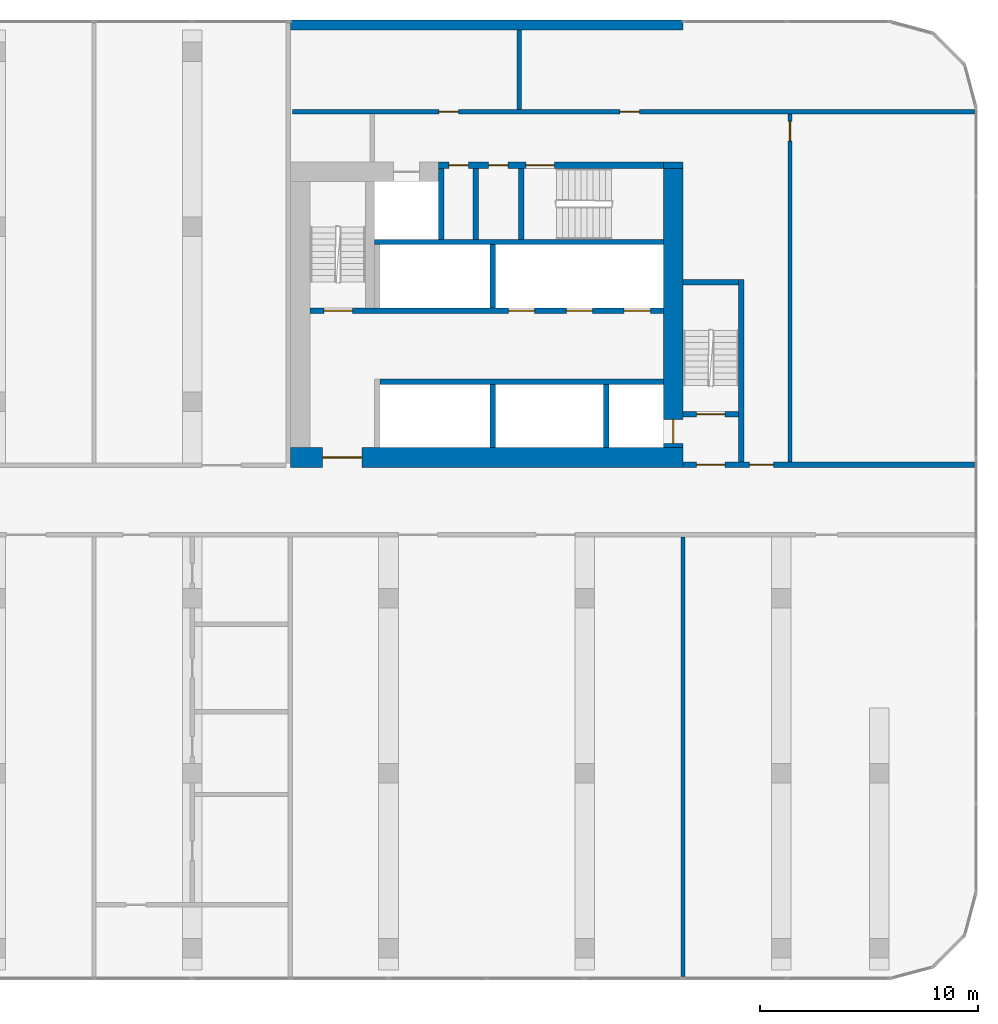
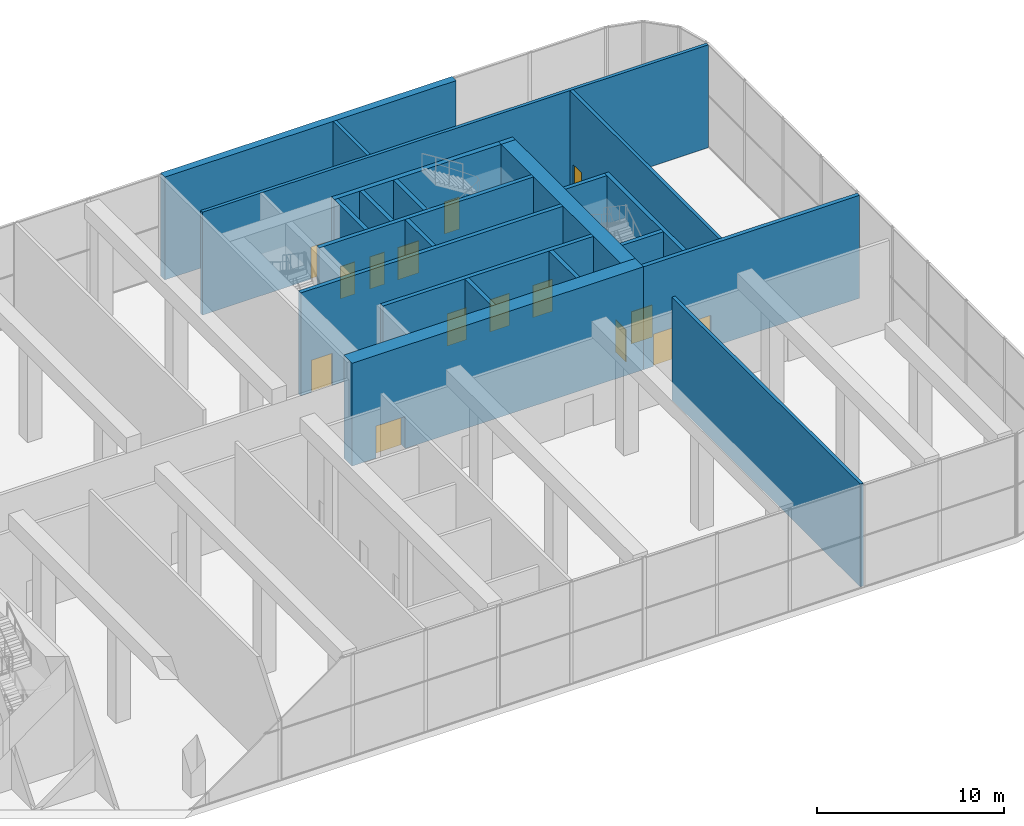
# One storey, part 15 of 23: 22 walls, 15 doors, 15 openings.
"""IFC4 building model written with IfcOpenShell, lengths in metres."""

from ifc_helpers import new_model, si_unit, direction, frame, frame_2d, origin, place, context, subcontext, project, spatial, rectangle, extrude, material, layer, layer_set, type_object, element, fill, save


model = new_model("IFC4")

# Units and contexts
model_context = context("Model", 3, precision=1e-05, world=origin(), true_north=direction((0.0, 1.0)))
body_context = subcontext(model_context, "Body", "Model", "MODEL_VIEW")
ifc_project = project(units=[si_unit("LENGTHUNIT", "METRE"), si_unit("AREAUNIT", "SQUARE_METRE"), si_unit("VOLUMEUNIT", "CUBIC_METRE"), si_unit("PLANEANGLEUNIT", "RADIAN"), si_unit("MASSUNIT", "GRAM", prefix="KILO")], contexts=[model_context])

# Site, building, storey
site_placement = place(None, origin())
site = spatial("IfcSite", under=ifc_project, at=site_placement, CompositionType="ELEMENT")
building_placement = place(site_placement, origin())
building = spatial("IfcBuilding", under=site, at=building_placement, Name="Kajstack Hotel Tower", CompositionType="ELEMENT")
storey_placement = place(building_placement, frame((0.0, 0.0, 53.0)))
storey = spatial("IfcBuildingStorey", under=building, at=storey_placement, Name="L08", CompositionType="ELEMENT", Elevation=53.0)

# Wall, opening, door
ifc_material_1 = material(Name="Concrete C60/75", Category="concrete")
ifc_layer_1 = layer(ifc_material_1, 0.89990234375)
ifc_layer_set_1 = layer_set([ifc_layer_1], Name="Core wall 900")
wall_type_1 = type_object("IfcWallType", Name="Core wall 900", PredefinedType="SHEAR", material=ifc_layer_set_1)
wall_1_placement = place(storey_placement, frame((13.5, 1.949951171875, 0.0), z_axis=(0.0, 0.0, 1.0), x_axis=(1.0, 0.0, 0.0)))
wall_1 = element("IfcWall", 1, at=wall_1_placement, inside=storey, type_object=wall_type_1, Name="Core wall E RN", PredefinedType="SHEAR", context=body_context, shape_type="SweptSolid", body=[
    extrude(rectangle(XDim=18.0, YDim=0.89990234375, at=frame_2d((9.0, 0.0))), origin(), (0.0, 0.0, 1.0), 6.719970703125),
])
opening_1_placement = place(wall_1_placement, frame((1.47509765625, 0.0, 0.0)))
opening_1 = element("IfcOpeningElement", 2, at=opening_1_placement, cuts=wall_1, Name="Opening 08E06", PredefinedType="OPENING", context=body_context, shape_type="SweptSolid", body=[
    extrude(rectangle(XDim=1.800048828125, YDim=2.10009765625, at=frame_2d((0.89990234375, 1.050048828125))), frame((0.0, 0.4599609375, 0.0), z_axis=(0.0, -1.0, 0.0), x_axis=(1.0, 0.0, 0.0)), (0.0, 0.0, 1.0), 0.919921875),
])
ifc_material_2 = material(Name="Glazed steel frame, fire-rated glass", Category="steel")
door_type_1 = type_object("IfcDoorType", Name="Lobby double door 1800", OperationType="DOUBLE_DOOR_DOUBLE_SWING", PredefinedType="DOOR", material=ifc_material_2)
door_1_placement = place(opening_1_placement, origin())
door_1 = element("IfcDoor", 3, at=door_1_placement, inside=storey, type_object=door_type_1, Name="Door 08E06", OperationType="DOUBLE_DOOR_DOUBLE_SWING", OverallHeight=2.10009765625, OverallWidth=1.800048828125, PredefinedType="DOOR", context=body_context, shape_type="SweptSolid", body=[
    extrude(rectangle(XDim=1.800048828125, YDim=2.10009765625, at=frame_2d((0.89990234375, 1.050048828125))), frame((0.0, 0.02490234375, 0.0), z_axis=(0.0, -1.0, 0.0), x_axis=(1.0, 0.0, 0.0)), (0.0, 0.0, 1.0), 0.050048828125),
])
fill(opening_1, door_1)

# Wall
wall_2_placement = place(storey_placement, frame((30.60009765625, 15.35009765625, 0.0), z_axis=(0.0, 0.0, 1.0), x_axis=(1.0, 0.0, 0.0)))
element("IfcWall", 4, at=wall_2_placement, inside=storey, type_object=wall_type_1, Name="Core wall E RSW", PredefinedType="SHEAR", context=body_context, shape_type="SweptSolid", body=[
    extrude(rectangle(XDim=0.89990234375, YDim=0.300048828125, at=frame_2d((0.449951171875, 0.0))), origin(), (0.0, 0.0, 1.0), 6.719970703125),
])

# Wall, opening, door
wall_3_placement = place(storey_placement, frame((31.050048828125, 2.39990234375, 0.0), z_axis=(0.0, 0.0, 1.0), x_axis=(0.0, 1.0, 0.0)))
wall_3 = element("IfcWall", 5, at=wall_3_placement, inside=storey, type_object=wall_type_1, Name="Core wall E RW", PredefinedType="SHEAR", context=body_context, shape_type="SweptSolid", body=[
    extrude(rectangle(XDim=12.800048828125, YDim=0.89990234375, at=frame_2d((6.39990234375, 0.0))), origin(), (0.0, 0.0, 1.0), 6.719970703125),
])
opening_2_placement = place(wall_3_placement, frame((0.199951171875, 0.0, 0.0)))
opening_2 = element("IfcOpeningElement", 6, at=opening_2_placement, cuts=wall_3, Name="Opening LD-FF2", PredefinedType="OPENING", context=body_context, shape_type="SweptSolid", body=[
    extrude(rectangle(XDim=1.10009765625, YDim=2.10009765625, at=frame_2d((0.550048828125, 1.050048828125))), frame((0.0, 0.4599609375, 0.0), z_axis=(0.0, -1.0, 0.0), x_axis=(1.0, 0.0, 0.0)), (0.0, 0.0, 1.0), 0.919921875),
])
ifc_material_3 = material(Name="Stainless steel", Category="steel")
door_type_2 = type_object("IfcDoorType", Name="Fire-fighting lift landing door 1100", OperationType="SLIDING_TO_LEFT", PredefinedType="DOOR", material=ifc_material_3)
door_2_placement = place(opening_2_placement, origin())
door_2 = element("IfcDoor", 7, at=door_2_placement, inside=storey, type_object=door_type_2, Name="Landing door FF2", OperationType="SLIDING_TO_LEFT", OverallHeight=2.10009765625, OverallWidth=1.10009765625, PredefinedType="DOOR", context=body_context, shape_type="SweptSolid", body=[
    extrude(rectangle(XDim=1.10009765625, YDim=2.10009765625, at=frame_2d((0.550048828125, 1.050048828125))), frame((0.0, 0.02490234375, 0.0), z_axis=(0.0, -1.0, 0.0), x_axis=(1.0, 0.0, 0.0)), (0.0, 0.0, 1.0), 0.050048828125),
])
fill(opening_2, door_2)

# Walls
ifc_material_4 = material(Name="Concrete C40/50", Category="concrete")
ifc_layer_2 = layer(ifc_material_4, 0.449951171875)
ifc_layer_set_2 = layer_set([ifc_layer_2], Name="EW-CORE")
wall_type_2 = type_object("IfcWallType", Name="EW-CORE", PredefinedType="SOLIDWALL", material=ifc_layer_set_2)
wall_4_placement = place(storey_placement, frame((31.5, 21.77490234375, 0.0), z_axis=(0.0, 0.0, 1.0), x_axis=(-1.0, 0.0, 0.0)))
element("IfcWall", 8, at=wall_4_placement, inside=storey, type_object=wall_type_2, Name="E-wall-L08-11-01", PredefinedType="SOLIDWALL", context=body_context, shape_type="SweptSolid", body=[
    extrude(rectangle(XDim=18.0, YDim=0.449951171875, at=frame_2d((9.0, 0.0))), origin(), (0.0, 0.0, 1.0), 6.719970703125),
])
ifc_material_5 = material(Name="Concrete C50/60", Category="concrete")
ifc_layer_3 = layer(ifc_material_5, 0.300048828125)
ifc_layer_set_3 = layer_set([ifc_layer_3], Name="Hoistway divider wall 300")
wall_type_3 = type_object("IfcWallType", Name="Hoistway divider wall 300", PredefinedType="SHEAR", material=ifc_layer_set_3)
wall_5_placement = place(storey_placement, frame((22.77490234375, 2.39990234375, 0.0), z_axis=(0.0, 0.0, 1.0), x_axis=(0.0, 1.0, 0.0)))
element("IfcWall", 9, at=wall_5_placement, inside=storey, type_object=wall_type_3, Name="Core wall E AP2", PredefinedType="SHEAR", context=body_context, shape_type="SweptSolid", body=[
    extrude(rectangle(XDim=2.900146484375, YDim=0.25, at=frame_2d((1.4501953125, 0.0))), origin(), (0.0, 0.0, 1.0), 6.719970703125),
])
wall_6_placement = place(storey_placement, frame((22.77490234375, 8.800048828125, 0.0), z_axis=(0.0, 0.0, 1.0), x_axis=(0.0, 1.0, 0.0)))
element("IfcWall", 10, at=wall_6_placement, inside=storey, type_object=wall_type_3, Name="Core wall E BP2", PredefinedType="SHEAR", context=body_context, shape_type="SweptSolid", body=[
    extrude(rectangle(XDim=2.89990234375, YDim=0.25, at=frame_2d((1.449951171875, 0.0))), origin(), (0.0, 0.0, 1.0), 6.719970703125),
])
ifc_material_6 = material(Name="Gypsum board on steel studs, mineral wool", Category="steel")
ifc_layer_4 = layer(ifc_material_6, 0.199951171875)
ifc_layer_set_4 = layer_set([ifc_layer_4], Name="Public partition 200")
wall_type_4 = type_object("IfcWallType", Name="Public partition 200", PredefinedType="PARTITIONING", material=ifc_layer_set_4)
wall_7_placement = place(storey_placement, frame((31.5, -21.85009765625, 0.0), z_axis=(0.0, 0.0, 1.0), x_axis=(0.0, 1.0, 0.0)))
element("IfcWall", 11, at=wall_7_placement, inside=storey, type_object=wall_type_4, Name="Partition SPX3", PredefinedType="PARTITIONING", context=body_context, shape_type="SweptSolid", body=[
    extrude(rectangle(XDim=20.150146484375, YDim=0.199951171875, at=frame_2d((10.0751953125, 0.0))), origin(), (0.0, 0.0, 1.0), 6.719970703125),
])
ifc_material_7 = material(Name="Concrete block masonry", Category="masonry")
ifc_layer_5 = layer(ifc_material_7, 0.25)
ifc_layer_set_5 = layer_set([ifc_layer_5], Name="Riser partition 250")
wall_type_5 = type_object("IfcWallType", Name="Riser partition 250", PredefinedType="PARTITIONING", material=ifc_layer_set_5)
wall_8_placement = place(storey_placement, frame((22.0, 11.949951171875, 0.0), z_axis=(0.0, 0.0, 1.0), x_axis=(0.0, 1.0, 0.0)))
element("IfcWall", 12, at=wall_8_placement, inside=storey, type_object=wall_type_5, Name="Partition E SZ0", PredefinedType="PARTITIONING", context=body_context, shape_type="SweptSolid", body=[
    extrude(rectangle(XDim=3.25, YDim=0.25, at=frame_2d((1.625, 0.0))), origin(), (0.0, 0.0, 1.0), 6.719970703125),
])

# Wall, openings, doors
ifc_layer_6 = layer(ifc_material_6, 0.199951171875)
ifc_layer_set_6 = layer_set([ifc_layer_6], Name="Service partition 200")
wall_type_6 = type_object("IfcWallType", Name="Service partition 200", PredefinedType="PARTITIONING", material=ifc_layer_set_6)
wall_9_placement = place(storey_placement, frame((31.5, 1.625, 0.0), z_axis=(0.0, 0.0, 1.0), x_axis=(1.0, 0.0, 0.0)))
wall_9 = element("IfcWall", 13, at=wall_9_placement, inside=storey, type_object=wall_type_6, Name="Partition E SN", PredefinedType="PARTITIONING", context=body_context, shape_type="SweptSolid", body=[
    extrude(rectangle(XDim=13.35009765625, YDim=0.25, at=frame_2d((6.675048828125, 0.0))), origin(), (0.0, 0.0, 1.0), 6.719970703125),
])
opening_3_placement = place(wall_9_placement, frame((0.625, 0.0, 0.0)))
opening_3 = element("IfcOpeningElement", 14, at=opening_3_placement, cuts=wall_9, Name="Opening 08E07", PredefinedType="OPENING", context=body_context, shape_type="SweptSolid", body=[
    extrude(rectangle(XDim=1.300048828125, YDim=2.10009765625, at=frame_2d((0.64990234375, 1.050048828125))), frame((0.0, 0.135009765625, 0.0), z_axis=(0.0, -1.0, 0.0), x_axis=(1.0, 0.0, 0.0)), (0.0, 0.0, 1.0), 0.27001953125),
])
opening_4_placement = place(wall_9_placement, frame((3.050048828125, 0.0, 0.0)))
opening_4 = element("IfcOpeningElement", 15, at=opening_4_placement, cuts=wall_9, Name="Opening 08E09", PredefinedType="OPENING", context=body_context, shape_type="SweptSolid", body=[
    extrude(rectangle(XDim=1.10009765625, YDim=2.10009765625, at=frame_2d((0.550048828125, 1.050048828125))), frame((0.0, 0.135009765625, 0.0), z_axis=(0.0, -1.0, 0.0), x_axis=(1.0, 0.0, 0.0)), (0.0, 0.0, 1.0), 0.27001953125),
])
ifc_material_8 = material(Name="Steel leaf, fire-rated", Category="steel")
door_type_3 = type_object("IfcDoorType", Name="Fire lobby door 1300", OperationType="SINGLE_SWING_LEFT", PredefinedType="DOOR", material=ifc_material_8)
door_3_placement = place(opening_3_placement, origin())
door_3 = element("IfcDoor", 16, at=door_3_placement, inside=storey, type_object=door_type_3, Name="Door 08E07", OperationType="SINGLE_SWING_LEFT", OverallHeight=2.10009765625, OverallWidth=1.300048828125, PredefinedType="DOOR", context=body_context, shape_type="SweptSolid", body=[
    extrude(rectangle(XDim=1.300048828125, YDim=2.10009765625, at=frame_2d((0.64990234375, 1.050048828125))), frame((0.0, 0.02490234375, 0.0), z_axis=(0.0, -1.0, 0.0), x_axis=(1.0, 0.0, 0.0)), (0.0, 0.0, 1.0), 0.050048828125),
])
fill(opening_3, door_3)
ifc_material_9 = material(Name="Timber leaf, fire-rated", Category="wood")
door_type_4 = type_object("IfcDoorType", Name="Service corridor door 1100", OperationType="SINGLE_SWING_LEFT", PredefinedType="DOOR", material=ifc_material_9)
door_4_placement = place(opening_4_placement, origin())
door_4 = element("IfcDoor", 17, at=door_4_placement, inside=storey, type_object=door_type_4, Name="Door 08E09", OperationType="SINGLE_SWING_LEFT", OverallHeight=2.10009765625, OverallWidth=1.10009765625, PredefinedType="DOOR", context=body_context, shape_type="SweptSolid", body=[
    extrude(rectangle(XDim=1.10009765625, YDim=2.10009765625, at=frame_2d((0.550048828125, 1.050048828125))), frame((0.0, 0.02490234375, 0.0), z_axis=(0.0, -1.0, 0.0), x_axis=(1.0, 0.0, 0.0)), (0.0, 0.0, 1.0), 0.050048828125),
])
fill(opening_4, door_4)

# Wall, opening, door
wall_10_placement = place(storey_placement, frame((36.39990234375, 1.75, 0.0), z_axis=(0.0, 0.0, 1.0), x_axis=(0.0, 1.0, 0.0)))
wall_10 = element("IfcWall", 18, at=wall_10_placement, inside=storey, type_object=wall_type_6, Name="Partition E WRE", PredefinedType="PARTITIONING", context=body_context, shape_type="SweptSolid", body=[
    extrude(rectangle(XDim=15.949951171875, YDim=0.199951171875, at=frame_2d((7.97509765625, 0.0))), origin(), (0.0, 0.0, 1.0), 6.719970703125),
])
opening_5_placement = place(wall_10_placement, frame((14.699951171875, 0.0, 0.0)))
opening_5 = element("IfcOpeningElement", 19, at=opening_5_placement, cuts=wall_10, Name="Opening 08E16", PredefinedType="OPENING", context=body_context, shape_type="SweptSolid", body=[
    extrude(rectangle(XDim=0.89990234375, YDim=2.10009765625, at=frame_2d((0.449951171875, 1.050048828125))), frame((0.0, 0.10986328125, 0.0), z_axis=(0.0, -1.0, 0.0), x_axis=(1.0, 0.0, 0.0)), (0.0, 0.0, 1.0), 0.219970703125),
])
door_type_5 = type_object("IfcDoorType", Name="Service door 900", OperationType="SINGLE_SWING_LEFT", PredefinedType="DOOR", material=ifc_material_9)
door_5_placement = place(opening_5_placement, origin())
door_5 = element("IfcDoor", 20, at=door_5_placement, inside=storey, type_object=door_type_5, Name="Door 08E16", OperationType="SINGLE_SWING_RIGHT", OverallHeight=2.10009765625, OverallWidth=0.89990234375, PredefinedType="DOOR", context=body_context, shape_type="SweptSolid", body=[
    extrude(rectangle(XDim=0.89990234375, YDim=2.10009765625, at=frame_2d((0.449951171875, 1.050048828125))), frame((0.0, 0.02490234375, 0.0), z_axis=(0.0, -1.0, 0.0), x_axis=(1.0, 0.0, 0.0)), (0.0, 0.0, 1.0), 0.050048828125),
])
fill(opening_5, door_5)

# Wall, openings, doors
wall_11_placement = place(storey_placement, frame((13.60009765625, 17.800048828125, 0.0), z_axis=(0.0, 0.0, 1.0), x_axis=(1.0, 0.0, 0.0)))
wall_11 = element("IfcWall", 21, at=wall_11_placement, inside=storey, type_object=wall_type_6, Name="Partition E SLN", PredefinedType="PARTITIONING", context=body_context, shape_type="SweptSolid", body=[
    extrude(rectangle(XDim=31.25, YDim=0.199951171875, at=frame_2d((15.625, 0.0))), origin(), (0.0, 0.0, 1.0), 6.719970703125),
])
opening_6_placement = place(wall_11_placement, frame((15.012451171875, 0.0, 0.0)))
opening_6 = element("IfcOpeningElement", 22, at=opening_6_placement, cuts=wall_11, Name="Opening 08E14", PredefinedType="OPENING", context=body_context, shape_type="SweptSolid", body=[
    extrude(rectangle(XDim=0.89990234375, YDim=2.10009765625, at=frame_2d((0.449951171875, 1.050048828125))), frame((0.0, 0.10986328125, 0.0), z_axis=(0.0, -1.0, 0.0), x_axis=(1.0, 0.0, 0.0)), (0.0, 0.0, 1.0), 0.219970703125),
])
opening_7_placement = place(wall_11_placement, frame((6.71240234375, 0.0, 0.0)))
opening_7 = element("IfcOpeningElement", 23, at=opening_7_placement, cuts=wall_11, Name="Opening 08E15", PredefinedType="OPENING", context=body_context, shape_type="SweptSolid", body=[
    extrude(rectangle(XDim=0.89990234375, YDim=2.10009765625, at=frame_2d((0.449951171875, 1.050048828125))), frame((0.0, 0.10986328125, 0.0), z_axis=(0.0, -1.0, 0.0), x_axis=(1.0, 0.0, 0.0)), (0.0, 0.0, 1.0), 0.219970703125),
])
door_6_placement = place(opening_6_placement, origin())
door_6 = element("IfcDoor", 24, at=door_6_placement, inside=storey, type_object=door_type_5, Name="Door 08E14", OperationType="SINGLE_SWING_LEFT", OverallHeight=2.10009765625, OverallWidth=0.89990234375, PredefinedType="DOOR", context=body_context, shape_type="SweptSolid", body=[
    extrude(rectangle(XDim=0.89990234375, YDim=2.10009765625, at=frame_2d((0.449951171875, 1.050048828125))), frame((0.0, 0.02490234375, 0.0), z_axis=(0.0, -1.0, 0.0), x_axis=(1.0, 0.0, 0.0)), (0.0, 0.0, 1.0), 0.050048828125),
])
fill(opening_6, door_6)
door_7_placement = place(opening_7_placement, origin())
door_7 = element("IfcDoor", 25, at=door_7_placement, inside=storey, type_object=door_type_5, Name="Door 08E15", OperationType="SINGLE_SWING_LEFT", OverallHeight=2.10009765625, OverallWidth=0.89990234375, PredefinedType="DOOR", context=body_context, shape_type="SweptSolid", body=[
    extrude(rectangle(XDim=0.89990234375, YDim=2.10009765625, at=frame_2d((0.449951171875, 1.050048828125))), frame((0.0, 0.02490234375, 0.0), z_axis=(0.0, -1.0, 0.0), x_axis=(1.0, 0.0, 0.0)), (0.0, 0.0, 1.0), 0.050048828125),
])
fill(opening_7, door_7)

# Wall
wall_12_placement = place(storey_placement, frame((24.0, 17.89990234375, 0.0), z_axis=(0.0, 0.0, 1.0), x_axis=(0.0, 1.0, 0.0)))
element("IfcWall", 26, at=wall_12_placement, inside=storey, type_object=wall_type_6, Name="Partition E SLP0", PredefinedType="PARTITIONING", context=body_context, shape_type="SweptSolid", body=[
    extrude(rectangle(XDim=3.650146484375, YDim=0.199951171875, at=frame_2d((1.8251953125, 0.0))), origin(), (0.0, 0.0, 1.0), 6.719970703125),
])

# Wall, openings, doors
ifc_layer_7 = layer(ifc_material_5, 0.25)
ifc_layer_set_7 = layer_set([ifc_layer_7], Name="Shaft wall 250")
wall_type_7 = type_object("IfcWallType", Name="Shaft wall 250", PredefinedType="SHEAR", material=ifc_layer_set_7)
wall_13_placement = place(storey_placement, frame((20.300048828125, 15.35009765625, 0.0), z_axis=(0.0, 0.0, 1.0), x_axis=(1.0, 0.0, 0.0)))
wall_13 = element("IfcWall", 27, at=wall_13_placement, inside=storey, type_object=wall_type_7, Name="Core wall E RSS", PredefinedType="SHEAR", context=body_context, shape_type="SweptSolid", body=[
    extrude(rectangle(XDim=10.300048828125, YDim=0.300048828125, at=frame_2d((5.14990234375, 0.0))), origin(), (0.0, 0.0, 1.0), 6.719970703125),
])
opening_8_placement = place(wall_13_placement, frame((4.0, 0.0, 0.0)))
opening_8 = element("IfcOpeningElement", 28, at=opening_8_placement, cuts=wall_13, Name="Opening 08E11", PredefinedType="OPENING", context=body_context, shape_type="SweptSolid", body=[
    extrude(rectangle(XDim=1.300048828125, YDim=2.10009765625, at=frame_2d((0.64990234375, 1.050048828125))), frame((0.0, 0.159912109375, 0.0), z_axis=(0.0, -1.0, 0.0), x_axis=(1.0, 0.0, 0.0)), (0.0, 0.0, 1.0), 0.320068359375),
])
opening_9_placement = place(wall_13_placement, frame((2.28759765625, 0.0, 0.0)))
opening_9 = element("IfcOpeningElement", 29, at=opening_9_placement, cuts=wall_13, Name="Opening 08E12", PredefinedType="OPENING", context=body_context, shape_type="SweptSolid", body=[
    extrude(rectangle(XDim=0.89990234375, YDim=2.10009765625, at=frame_2d((0.449951171875, 1.050048828125))), frame((0.0, 0.159912109375, 0.0), z_axis=(0.0, -1.0, 0.0), x_axis=(1.0, 0.0, 0.0)), (0.0, 0.0, 1.0), 0.320068359375),
])
opening_10_placement = place(wall_13_placement, frame((0.46240234375, 0.0, 0.0)))
opening_10 = element("IfcOpeningElement", 30, at=opening_10_placement, cuts=wall_13, Name="Opening 08E13", PredefinedType="OPENING", context=body_context, shape_type="SweptSolid", body=[
    extrude(rectangle(XDim=0.89990234375, YDim=2.10009765625, at=frame_2d((0.449951171875, 1.050048828125))), frame((0.0, 0.159912109375, 0.0), z_axis=(0.0, -1.0, 0.0), x_axis=(1.0, 0.0, 0.0)), (0.0, 0.0, 1.0), 0.320068359375),
])
door_8_placement = place(opening_9_placement, origin())
door_8 = element("IfcDoor", 31, at=door_8_placement, inside=storey, type_object=door_type_5, Name="Door 08E12", OperationType="SINGLE_SWING_RIGHT", OverallHeight=2.10009765625, OverallWidth=0.89990234375, PredefinedType="DOOR", context=body_context, shape_type="SweptSolid", body=[
    extrude(rectangle(XDim=0.89990234375, YDim=2.10009765625, at=frame_2d((0.449951171875, 1.050048828125))), frame((0.0, 0.02490234375, 0.0), z_axis=(0.0, -1.0, 0.0), x_axis=(1.0, 0.0, 0.0)), (0.0, 0.0, 1.0), 0.050048828125),
])
fill(opening_9, door_8)
door_9_placement = place(opening_10_placement, origin())
door_9 = element("IfcDoor", 32, at=door_9_placement, inside=storey, type_object=door_type_5, Name="Door 08E13", OperationType="SINGLE_SWING_RIGHT", OverallHeight=2.10009765625, OverallWidth=0.89990234375, PredefinedType="DOOR", context=body_context, shape_type="SweptSolid", body=[
    extrude(rectangle(XDim=0.89990234375, YDim=2.10009765625, at=frame_2d((0.449951171875, 1.050048828125))), frame((0.0, 0.02490234375, 0.0), z_axis=(0.0, -1.0, 0.0), x_axis=(1.0, 0.0, 0.0)), (0.0, 0.0, 1.0), 0.050048828125),
])
fill(opening_10, door_9)
door_type_6 = type_object("IfcDoorType", Name="Stair door 1300", OperationType="SINGLE_SWING_LEFT", PredefinedType="DOOR", material=ifc_material_8)
door_10_placement = place(opening_8_placement, origin())
door_10 = element("IfcDoor", 33, at=door_10_placement, inside=storey, type_object=door_type_6, Name="Door 08E11", OperationType="SINGLE_SWING_LEFT", OverallHeight=2.10009765625, OverallWidth=1.300048828125, PredefinedType="DOOR", context=body_context, shape_type="SweptSolid", body=[
    extrude(rectangle(XDim=1.300048828125, YDim=2.10009765625, at=frame_2d((0.64990234375, 1.050048828125))), frame((0.0, 0.02490234375, 0.0), z_axis=(0.0, -1.0, 0.0), x_axis=(1.0, 0.0, 0.0)), (0.0, 0.0, 1.0), 0.050048828125),
])
fill(opening_8, door_10)

# Walls
wall_14_placement = place(storey_placement, frame((17.60009765625, 5.425048828125, 0.0), z_axis=(0.0, 0.0, 1.0), x_axis=(1.0, 0.0, 0.0)))
element("IfcWall", 34, at=wall_14_placement, inside=storey, type_object=wall_type_7, Name="Core wall E FA", PredefinedType="SHEAR", context=body_context, shape_type="SweptSolid", body=[
    extrude(rectangle(XDim=13.0, YDim=0.25, at=frame_2d((6.5, 0.0))), origin(), (0.0, 0.0, 1.0), 6.719970703125),
])
wall_15_placement = place(storey_placement, frame((27.97509765625, 2.39990234375, 0.0), z_axis=(0.0, 0.0, 1.0), x_axis=(0.0, 1.0, 0.0)))
element("IfcWall", 35, at=wall_15_placement, inside=storey, type_object=wall_type_7, Name="Core wall E AP0", PredefinedType="SHEAR", context=body_context, shape_type="SweptSolid", body=[
    extrude(rectangle(XDim=2.900146484375, YDim=0.25, at=frame_2d((1.4501953125, 0.0))), origin(), (0.0, 0.0, 1.0), 6.719970703125),
])

# Wall, openings, doors
wall_16_placement = place(storey_placement, frame((14.39990234375, 8.675048828125, 0.0), z_axis=(0.0, 0.0, 1.0), x_axis=(1.0, 0.0, 0.0)))
wall_16 = element("IfcWall", 36, at=wall_16_placement, inside=storey, type_object=wall_type_7, Name="Core wall E FB", PredefinedType="SHEAR", context=body_context, shape_type="SweptSolid", body=[
    extrude(rectangle(XDim=16.2001953125, YDim=0.25, at=frame_2d((8.10009765625, 0.0))), origin(), (0.0, 0.0, 1.0), 6.719970703125),
])
opening_11_placement = place(wall_16_placement, frame((14.39990234375, 0.0, 0.0)))
opening_11 = element("IfcOpeningElement", 37, at=opening_11_placement, cuts=wall_16, Name="Opening LD-LR4", PredefinedType="OPENING", context=body_context, shape_type="SweptSolid", body=[
    extrude(rectangle(XDim=1.199951171875, YDim=2.10009765625, at=frame_2d((0.60009765625, 1.050048828125))), frame((0.0, 0.135009765625, 0.0), z_axis=(0.0, -1.0, 0.0), x_axis=(1.0, 0.0, 0.0)), (0.0, 0.0, 1.0), 0.27001953125),
])
opening_12_placement = place(wall_16_placement, frame((11.75, 0.0, 0.0)))
opening_12 = element("IfcOpeningElement", 38, at=opening_12_placement, cuts=wall_16, Name="Opening LD-LR5", PredefinedType="OPENING", context=body_context, shape_type="SweptSolid", body=[
    extrude(rectangle(XDim=1.199951171875, YDim=2.10009765625, at=frame_2d((0.60009765625, 1.050048828125))), frame((0.0, 0.135009765625, 0.0), z_axis=(0.0, -1.0, 0.0), x_axis=(1.0, 0.0, 0.0)), (0.0, 0.0, 1.0), 0.27001953125),
])
opening_13_placement = place(wall_16_placement, frame((9.10009765625, 0.0, 0.0)))
opening_13 = element("IfcOpeningElement", 39, at=opening_13_placement, cuts=wall_16, Name="Opening LD-LR6", PredefinedType="OPENING", context=body_context, shape_type="SweptSolid", body=[
    extrude(rectangle(XDim=1.199951171875, YDim=2.10009765625, at=frame_2d((0.60009765625, 1.050048828125))), frame((0.0, 0.135009765625, 0.0), z_axis=(0.0, -1.0, 0.0), x_axis=(1.0, 0.0, 0.0)), (0.0, 0.0, 1.0), 0.27001953125),
])
opening_14_placement = place(wall_16_placement, frame((0.64990234375, 0.0, 0.0)))
opening_14 = element("IfcOpeningElement", 40, at=opening_14_placement, cuts=wall_16, Name="Opening 08E10", PredefinedType="OPENING", context=body_context, shape_type="SweptSolid", body=[
    extrude(rectangle(XDim=1.300048828125, YDim=2.10009765625, at=frame_2d((0.64990234375, 1.050048828125))), frame((0.0, 0.135009765625, 0.0), z_axis=(0.0, -1.0, 0.0), x_axis=(1.0, 0.0, 0.0)), (0.0, 0.0, 1.0), 0.27001953125),
])
door_type_7 = type_object("IfcDoorType", Name="Lift landing door 1200", OperationType="SLIDING_TO_LEFT", PredefinedType="DOOR", material=ifc_material_3)
door_11_placement = place(opening_11_placement, origin())
door_11 = element("IfcDoor", 41, at=door_11_placement, inside=storey, type_object=door_type_7, Name="Landing door LR4", OperationType="SLIDING_TO_LEFT", OverallHeight=2.10009765625, OverallWidth=1.199951171875, PredefinedType="DOOR", context=body_context, shape_type="SweptSolid", body=[
    extrude(rectangle(XDim=1.199951171875, YDim=2.10009765625, at=frame_2d((0.60009765625, 1.050048828125))), frame((0.0, 0.02490234375, 0.0), z_axis=(0.0, -1.0, 0.0), x_axis=(1.0, 0.0, 0.0)), (0.0, 0.0, 1.0), 0.050048828125),
])
fill(opening_11, door_11)
door_12_placement = place(opening_12_placement, origin())
door_12 = element("IfcDoor", 42, at=door_12_placement, inside=storey, type_object=door_type_7, Name="Landing door LR5", OperationType="SLIDING_TO_RIGHT", OverallHeight=2.10009765625, OverallWidth=1.199951171875, PredefinedType="DOOR", context=body_context, shape_type="SweptSolid", body=[
    extrude(rectangle(XDim=1.199951171875, YDim=2.10009765625, at=frame_2d((0.60009765625, 1.050048828125))), frame((0.0, 0.02490234375, 0.0), z_axis=(0.0, -1.0, 0.0), x_axis=(1.0, 0.0, 0.0)), (0.0, 0.0, 1.0), 0.050048828125),
])
fill(opening_12, door_12)
door_13_placement = place(opening_13_placement, origin())
door_13 = element("IfcDoor", 43, at=door_13_placement, inside=storey, type_object=door_type_7, Name="Landing door LR6", OperationType="SLIDING_TO_RIGHT", OverallHeight=2.10009765625, OverallWidth=1.199951171875, PredefinedType="DOOR", context=body_context, shape_type="SweptSolid", body=[
    extrude(rectangle(XDim=1.199951171875, YDim=2.10009765625, at=frame_2d((0.60009765625, 1.050048828125))), frame((0.0, 0.02490234375, 0.0), z_axis=(0.0, -1.0, 0.0), x_axis=(1.0, 0.0, 0.0)), (0.0, 0.0, 1.0), 0.050048828125),
])
fill(opening_13, door_13)
door_14_placement = place(opening_14_placement, origin())
door_14 = element("IfcDoor", 44, at=door_14_placement, inside=storey, type_object=door_type_6, Name="Door 08E10", OperationType="SINGLE_SWING_LEFT", OverallHeight=2.10009765625, OverallWidth=1.300048828125, PredefinedType="DOOR", context=body_context, shape_type="SweptSolid", body=[
    extrude(rectangle(XDim=1.300048828125, YDim=2.10009765625, at=frame_2d((0.64990234375, 1.050048828125))), frame((0.0, 0.02490234375, 0.0), z_axis=(0.0, -1.0, 0.0), x_axis=(1.0, 0.0, 0.0)), (0.0, 0.0, 1.0), 0.050048828125),
])
fill(opening_14, door_14)

# Walls
wall_17_placement = place(storey_placement, frame((17.35009765625, 11.824951171875, 0.0), z_axis=(0.0, 0.0, 1.0), x_axis=(1.0, 0.0, 0.0)))
element("IfcWall", 45, at=wall_17_placement, inside=storey, type_object=wall_type_7, Name="Core wall E RB", PredefinedType="SHEAR", context=body_context, shape_type="SweptSolid", body=[
    extrude(rectangle(XDim=13.25, YDim=0.25, at=frame_2d((6.625, 0.0))), origin(), (0.0, 0.0, 1.0), 6.719970703125),
])
wall_18_placement = place(storey_placement, frame((20.425048828125, 11.949951171875, 0.0), z_axis=(0.0, 0.0, 1.0), x_axis=(0.0, 1.0, 0.0)))
element("IfcWall", 46, at=wall_18_placement, inside=storey, type_object=wall_type_7, Name="Core wall E SVW", PredefinedType="SHEAR", context=body_context, shape_type="SweptSolid", body=[
    extrude(rectangle(XDim=3.25, YDim=0.25, at=frame_2d((1.625, 0.0))), origin(), (0.0, 0.0, 1.0), 6.719970703125),
])

# Wall, opening, door
ifc_layer_8 = layer(ifc_material_4, 0.25)
ifc_layer_set_8 = layer_set([ifc_layer_8], Name="Stair enclosure wall 250")
wall_type_8 = type_object("IfcWallType", Name="Stair enclosure wall 250", PredefinedType="SHEAR", material=ifc_layer_set_8)
wall_19_placement = place(storey_placement, frame((31.5, 3.925048828125, 0.0), z_axis=(0.0, 0.0, 1.0), x_axis=(1.0, 0.0, 0.0)))
wall_19 = element("IfcWall", 47, at=wall_19_placement, inside=storey, type_object=wall_type_8, Name="Core wall E W1N", PredefinedType="SHEAR", context=body_context, shape_type="SweptSolid", body=[
    extrude(rectangle(XDim=2.550048828125, YDim=0.25, at=frame_2d((1.27490234375, 0.0))), origin(), (0.0, 0.0, 1.0), 6.719970703125),
])
opening_15_placement = place(wall_19_placement, frame((0.625, 0.0, 0.0)))
opening_15 = element("IfcOpeningElement", 48, at=opening_15_placement, cuts=wall_19, Name="Opening 08E08", PredefinedType="OPENING", context=body_context, shape_type="SweptSolid", body=[
    extrude(rectangle(XDim=1.300048828125, YDim=2.10009765625, at=frame_2d((0.64990234375, 1.050048828125))), frame((0.0, 0.135009765625, 0.0), z_axis=(0.0, -1.0, 0.0), x_axis=(1.0, 0.0, 0.0)), (0.0, 0.0, 1.0), 0.27001953125),
])
door_15_placement = place(opening_15_placement, origin())
door_15 = element("IfcDoor", 49, at=door_15_placement, inside=storey, type_object=door_type_6, Name="Door 08E08", OperationType="SINGLE_SWING_LEFT", OverallHeight=2.10009765625, OverallWidth=1.300048828125, PredefinedType="DOOR", context=body_context, shape_type="SweptSolid", body=[
    extrude(rectangle(XDim=1.300048828125, YDim=2.10009765625, at=frame_2d((0.64990234375, 1.050048828125))), frame((0.0, 0.02490234375, 0.0), z_axis=(0.0, -1.0, 0.0), x_axis=(1.0, 0.0, 0.0)), (0.0, 0.0, 1.0), 0.050048828125),
])
fill(opening_15, door_15)

# Walls
wall_20_placement = place(storey_placement, frame((34.175048828125, 1.75, 0.0), z_axis=(0.0, 0.0, 1.0), x_axis=(0.0, 1.0, 0.0)))
element("IfcWall", 50, at=wall_20_placement, inside=storey, type_object=wall_type_8, Name="Core wall E W1W", PredefinedType="SHEAR", context=body_context, shape_type="SweptSolid", body=[
    extrude(rectangle(XDim=8.35009765625, YDim=0.25, at=frame_2d((4.175048828125, 0.0))), origin(), (0.0, 0.0, 1.0), 6.719970703125),
])
wall_21_placement = place(storey_placement, frame((31.5, 9.97509765625, 0.0), z_axis=(0.0, 0.0, 1.0), x_axis=(1.0, 0.0, 0.0)))
element("IfcWall", 51, at=wall_21_placement, inside=storey, type_object=wall_type_8, Name="Core wall E W1S", PredefinedType="SHEAR", context=body_context, shape_type="SweptSolid", body=[
    extrude(rectangle(XDim=2.550048828125, YDim=0.25, at=frame_2d((1.27490234375, 0.0))), origin(), (0.0, 0.0, 1.0), 6.719970703125),
])
ifc_layer_9 = layer(ifc_material_5, 0.35009765625)
ifc_layer_set_9 = layer_set([ifc_layer_9], Name="Stair enclosure wall 350")
wall_type_9 = type_object("IfcWallType", Name="Stair enclosure wall 350", PredefinedType="SHEAR", material=ifc_layer_set_9)
wall_22_placement = place(storey_placement, frame((24.074951171875, 11.949951171875, 0.0), z_axis=(0.0, 0.0, 1.0), x_axis=(0.0, 1.0, 0.0)))
element("IfcWall", 52, at=wall_22_placement, inside=storey, type_object=wall_type_9, Name="Core wall E W3E", PredefinedType="SHEAR", context=body_context, shape_type="SweptSolid", body=[
    extrude(rectangle(XDim=3.25, YDim=0.25, at=frame_2d((1.625, 0.0))), origin(), (0.0, 0.0, 1.0), 6.719970703125),
])

save(model, "model.ifc")
